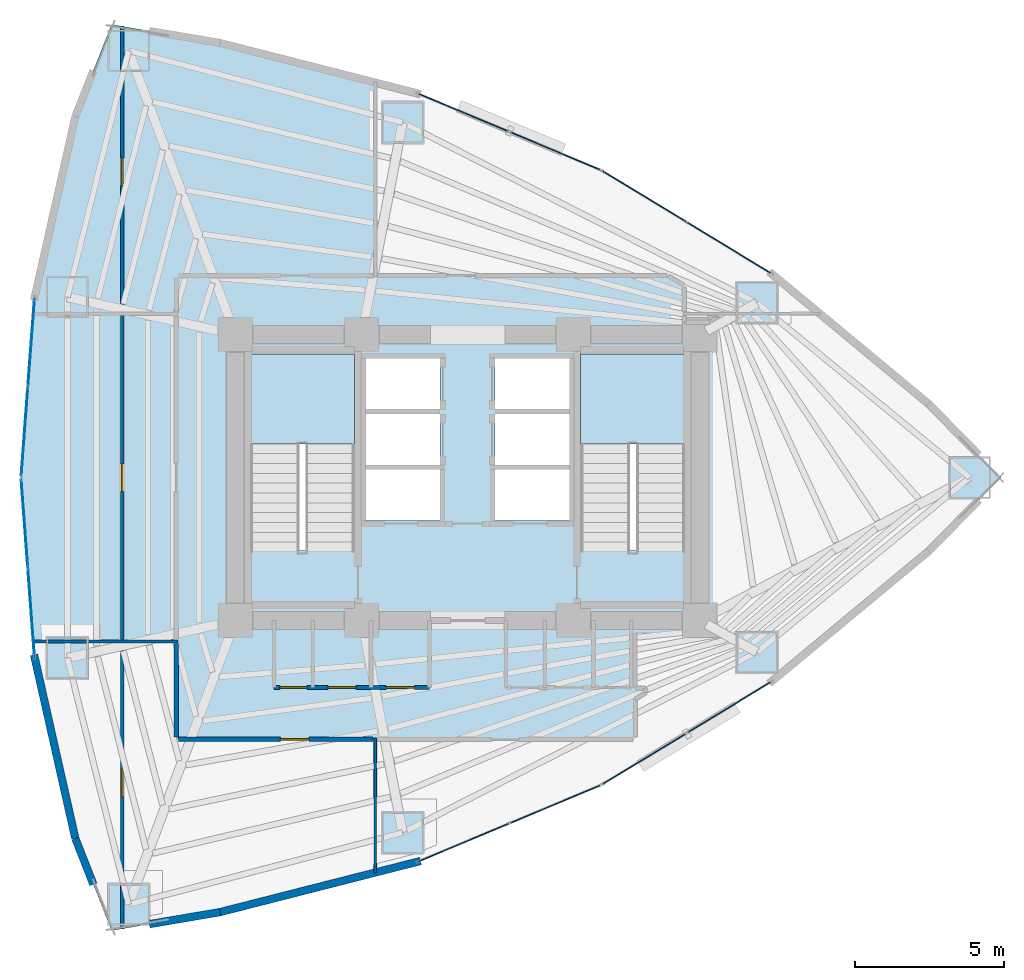
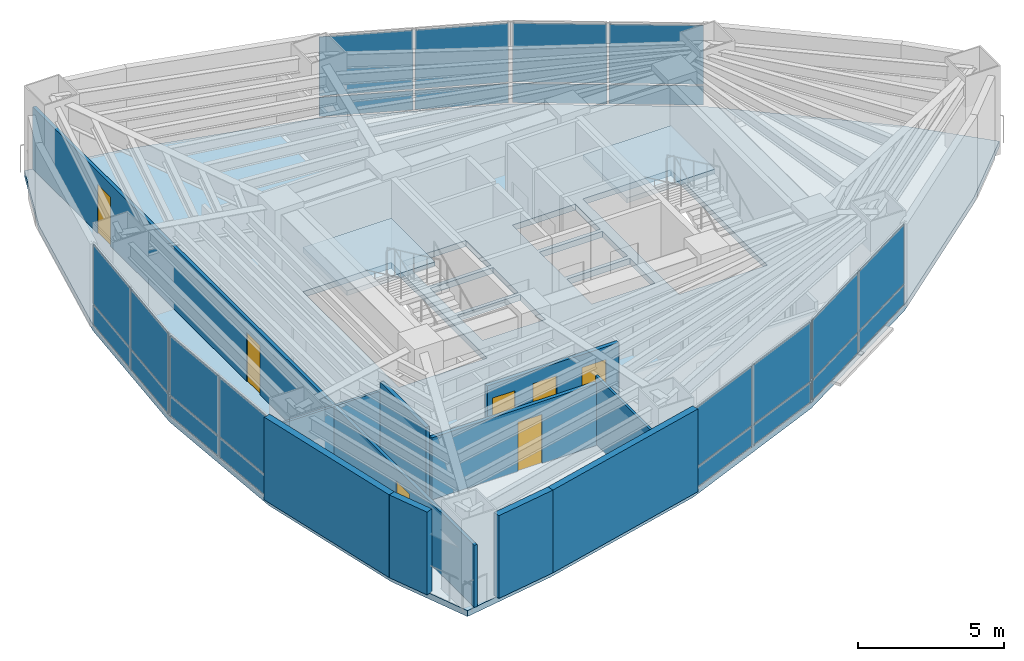
# One storey, part 13 of 17: 24 plates, 10 walls, 7 doors, 3 slabs, 7 openings, 8 elements without a shape of their own.
"""IFC4 building model written with IfcOpenShell, lengths in metres."""

from ifc_helpers import new_model, si_unit, direction, frame, frame_2d, origin, origin_2d, place, context, subcontext, project, spatial, polyline, rectangle, outline, extrude, material, layer, layer_set, type_object, element, fill, aggregate, save


model = new_model("IFC4")

# Units and contexts
model_context = context("Model", 3, precision=1e-05, world=origin(), true_north=direction((0.0, 1.0)))
body_context = subcontext(model_context, "Body", "Model", "MODEL_VIEW")
ifc_project = project(units=[si_unit("LENGTHUNIT", "METRE"), si_unit("AREAUNIT", "SQUARE_METRE"), si_unit("VOLUMEUNIT", "CUBIC_METRE"), si_unit("PLANEANGLEUNIT", "RADIAN"), si_unit("MASSUNIT", "GRAM", prefix="KILO")], contexts=[model_context])

# Site, building, storey
site_placement = place(None, origin())
site = spatial("IfcSite", under=ifc_project, at=site_placement, CompositionType="ELEMENT")
building_placement = place(site_placement, origin())
building = spatial("IfcBuilding", under=site, at=building_placement, Name="Menara Vayukalpa", CompositionType="ELEMENT")
storey_placement = place(building_placement, frame((0.0, 0.0, 38.760009765625)))
storey = spatial("IfcBuildingStorey", under=building, at=storey_placement, Name="L08", CompositionType="ELEMENT", Elevation=38.760009765625)

# Curtain wall, plates
ifc_material_1 = material(Name="Anodised Terracotta Aluminium Alloy 6063-T6", Category="masonry")
ifc_layer_1 = layer(ifc_material_1, 0.1650390625)
ifc_layer_set_1 = layer_set([ifc_layer_1], Name="Anodised Terracotta Aluminium Alloy 6063-T6")
curtain_wall_type = type_object("IfcCurtainWallType", Name="CW-CW2", PredefinedType="USERDEFINED", material=ifc_layer_set_1)
curtain_wall_1_placement = place(storey_placement, origin())
curtain_wall_1 = element("IfcCurtainWall", 1, at=curtain_wall_1_placement, inside=storey, type_object=curtain_wall_type, Name="L08 Low Rise Terracotta Ribbon Curtain Wall CW2 04", ObjectType="UNITISED", PredefinedType="USERDEFINED")
ifc_material_2 = material(Name="Low-E Double Glazing", Category="glass")
ifc_layer_2 = layer(ifc_material_2, 0.031982421875)
ifc_layer_set_2 = layer_set([ifc_layer_2], Name="Low-E Double Glazing")
plate_type = type_object("IfcPlateType", Name="CWP-CW2", PredefinedType="CURTAIN_PANEL", material=ifc_layer_set_2)
plate_1_placement = place(storey_placement, frame((34.371826171875, 29.721435546875, 0.06494140625), z_axis=(0.0, 0.0, 1.0), x_axis=(-0.854663727945, 0.519181964377, 0.0)))
plate_1 = element("IfcPlate", 2, at=plate_1_placement, type_object=plate_type, Name="CW2 panel 1.1", PredefinedType="CURTAIN_PANEL", context=body_context, shape_type="SweptSolid", body=[
    extrude(rectangle(XDim=3.24267578125, YDim=0.031982421875, at=origin_2d()), origin(), (0.0, 0.0, 1.0), 0.802490234375),
])
plate_2_placement = place(storey_placement, frame((34.371826171875, 29.721435546875, 0.9326171875), z_axis=(0.0, 0.0, 1.0), x_axis=(-0.854663727945, 0.519181964377, 0.0)))
plate_2 = element("IfcPlate", 3, at=plate_2_placement, type_object=plate_type, Name="CW2 panel 1.2", PredefinedType="CURTAIN_PANEL", context=body_context, shape_type="SweptSolid", body=[
    extrude(rectangle(XDim=3.24267578125, YDim=0.031982421875, at=origin_2d()), origin(), (0.0, 0.0, 1.0), 2.472412109375),
])
plate_3_placement = place(storey_placement, frame((31.54052734375, 31.44140625, 0.06494140625), z_axis=(0.0, 0.0, 1.0), x_axis=(-0.854663727945, 0.519181964377, 0.0)))
plate_3 = element("IfcPlate", 4, at=plate_3_placement, type_object=plate_type, Name="CW2 panel 2.1", PredefinedType="CURTAIN_PANEL", context=body_context, shape_type="SweptSolid", body=[
    extrude(rectangle(XDim=3.24267578125, YDim=0.031982421875, at=origin_2d()), origin(), (0.0, 0.0, 1.0), 0.802490234375),
])
plate_4_placement = place(storey_placement, frame((31.54052734375, 31.44140625, 0.9326171875), z_axis=(0.0, 0.0, 1.0), x_axis=(-0.854663727945, 0.519181964377, 0.0)))
plate_4 = element("IfcPlate", 5, at=plate_4_placement, type_object=plate_type, Name="CW2 panel 2.2", PredefinedType="CURTAIN_PANEL", context=body_context, shape_type="SweptSolid", body=[
    extrude(rectangle(XDim=3.24267578125, YDim=0.031982421875, at=origin_2d()), origin(), (0.0, 0.0, 1.0), 2.472412109375),
])
aggregate(curtain_wall_1, [plate_1, plate_2, plate_3, plate_4])

curtain_wall_2_placement = place(storey_placement, origin())
curtain_wall_2 = element("IfcCurtainWall", 6, at=curtain_wall_2_placement, inside=storey, type_object=curtain_wall_type, Name="L08 Low Rise Terracotta Ribbon Curtain Wall CW2 05", ObjectType="UNITISED", PredefinedType="USERDEFINED")
plate_5_placement = place(storey_placement, frame((28.534912109375, 32.97216796875, 0.06494140625), z_axis=(0.0, 0.0, 1.0), x_axis=(-0.922542658101, 0.385895120445, 0.0)))
plate_5 = element("IfcPlate", 7, at=plate_5_placement, type_object=plate_type, Name="CW2 panel 1.1", PredefinedType="CURTAIN_PANEL", context=body_context, shape_type="SweptSolid", body=[
    extrude(rectangle(XDim=3.242431640625, YDim=0.031982421875, at=origin_2d()), origin(), (0.0, 0.0, 1.0), 0.802490234375),
])
plate_6_placement = place(storey_placement, frame((28.534912109375, 32.97216796875, 0.9326171875), z_axis=(0.0, 0.0, 1.0), x_axis=(-0.922542658101, 0.385895120445, 0.0)))
plate_6 = element("IfcPlate", 8, at=plate_6_placement, type_object=plate_type, Name="CW2 panel 1.2", PredefinedType="CURTAIN_PANEL", context=body_context, shape_type="SweptSolid", body=[
    extrude(rectangle(XDim=3.242431640625, YDim=0.031982421875, at=origin_2d()), origin(), (0.0, 0.0, 1.0), 2.472412109375),
])
plate_7_placement = place(storey_placement, frame((25.478759765625, 34.250244140625, 0.06494140625), z_axis=(0.0, 0.0, 1.0), x_axis=(-0.922542658101, 0.385895120445, 0.0)))
plate_7 = element("IfcPlate", 9, at=plate_7_placement, type_object=plate_type, Name="CW2 panel 2.1", PredefinedType="CURTAIN_PANEL", context=body_context, shape_type="SweptSolid", body=[
    extrude(rectangle(XDim=3.242431640625, YDim=0.031982421875, at=origin_2d()), origin(), (0.0, 0.0, 1.0), 0.802490234375),
])
plate_8_placement = place(storey_placement, frame((25.478759765625, 34.250244140625, 0.9326171875), z_axis=(0.0, 0.0, 1.0), x_axis=(-0.922542658101, 0.385895120445, 0.0)))
plate_8 = element("IfcPlate", 10, at=plate_8_placement, type_object=plate_type, Name="CW2 panel 2.2", PredefinedType="CURTAIN_PANEL", context=body_context, shape_type="SweptSolid", body=[
    extrude(rectangle(XDim=3.242431640625, YDim=0.031982421875, at=origin_2d()), origin(), (0.0, 0.0, 1.0), 2.472412109375),
])
aggregate(curtain_wall_2, [plate_5, plate_6, plate_7, plate_8])

curtain_wall_3_placement = place(storey_placement, origin())
curtain_wall_3 = element("IfcCurtainWall", 11, at=curtain_wall_3_placement, inside=storey, type_object=curtain_wall_type, Name="L08 Low Rise Terracotta Ribbon Curtain Wall CW2 10", ObjectType="UNITISED", PredefinedType="USERDEFINED")
plate_9_placement = place(storey_placement, frame((10.94921875, 26.52734375, 0.06494140625), z_axis=(0.0, 0.0, 1.0), x_axis=(-0.074794857576, -0.997198941676, 0.0)))
plate_9 = element("IfcPlate", 12, at=plate_9_placement, type_object=plate_type, Name="CW2 panel 1.1", PredefinedType="CURTAIN_PANEL", context=body_context, shape_type="SweptSolid", body=[
    extrude(rectangle(XDim=2.933349609375, YDim=0.031982421875, at=origin_2d()), origin(), (0.0, 0.0, 1.0), 0.802490234375),
])
plate_10_placement = place(storey_placement, frame((10.94921875, 26.52734375, 0.9326171875), z_axis=(0.0, 0.0, 1.0), x_axis=(-0.074794857576, -0.997198941676, 0.0)))
plate_10 = element("IfcPlate", 13, at=plate_10_placement, type_object=plate_type, Name="CW2 panel 1.2", PredefinedType="CURTAIN_PANEL", context=body_context, shape_type="SweptSolid", body=[
    extrude(rectangle(XDim=2.933349609375, YDim=0.031982421875, at=origin_2d()), origin(), (0.0, 0.0, 1.0), 2.472412109375),
])
plate_11_placement = place(storey_placement, frame((10.724609375, 23.532470703125, 0.06494140625), z_axis=(0.0, 0.0, 1.0), x_axis=(-0.074794857576, -0.997198941676, 0.0)))
plate_11 = element("IfcPlate", 14, at=plate_11_placement, type_object=plate_type, Name="CW2 panel 2.1", PredefinedType="CURTAIN_PANEL", context=body_context, shape_type="SweptSolid", body=[
    extrude(rectangle(XDim=2.933349609375, YDim=0.031982421875, at=origin_2d()), origin(), (0.0, 0.0, 1.0), 0.802490234375),
])
plate_12_placement = place(storey_placement, frame((10.724609375, 23.532470703125, 0.9326171875), z_axis=(0.0, 0.0, 1.0), x_axis=(-0.074794857576, -0.997198941676, 0.0)))
plate_12 = element("IfcPlate", 15, at=plate_12_placement, type_object=plate_type, Name="CW2 panel 2.2", PredefinedType="CURTAIN_PANEL", context=body_context, shape_type="SweptSolid", body=[
    extrude(rectangle(XDim=2.933349609375, YDim=0.031982421875, at=origin_2d()), origin(), (0.0, 0.0, 1.0), 2.472412109375),
])
aggregate(curtain_wall_3, [plate_9, plate_10, plate_11, plate_12])

curtain_wall_4_placement = place(storey_placement, origin())
curtain_wall_4 = element("IfcCurtainWall", 16, at=curtain_wall_4_placement, inside=storey, type_object=curtain_wall_type, Name="L08 Low Rise Terracotta Ribbon Curtain Wall CW2 11", ObjectType="UNITISED", PredefinedType="USERDEFINED")
plate_13_placement = place(storey_placement, frame((10.724609375, 20.467529296875, 0.06494140625), z_axis=(0.0, 0.0, 1.0), x_axis=(0.074794857576, -0.997198941676, 0.0)))
plate_13 = element("IfcPlate", 17, at=plate_13_placement, type_object=plate_type, Name="CW2 panel 1.1", PredefinedType="CURTAIN_PANEL", context=body_context, shape_type="SweptSolid", body=[
    extrude(rectangle(XDim=2.933349609375, YDim=0.031982421875, at=origin_2d()), origin(), (0.0, 0.0, 1.0), 0.802490234375),
])
plate_14_placement = place(storey_placement, frame((10.724609375, 20.467529296875, 0.9326171875), z_axis=(0.0, 0.0, 1.0), x_axis=(0.074794857576, -0.997198941676, 0.0)))
plate_14 = element("IfcPlate", 18, at=plate_14_placement, type_object=plate_type, Name="CW2 panel 1.2", PredefinedType="CURTAIN_PANEL", context=body_context, shape_type="SweptSolid", body=[
    extrude(rectangle(XDim=2.933349609375, YDim=0.031982421875, at=origin_2d()), origin(), (0.0, 0.0, 1.0), 2.472412109375),
])
plate_15_placement = place(storey_placement, frame((10.94921875, 17.47265625, 0.06494140625), z_axis=(0.0, 0.0, 1.0), x_axis=(0.074794857576, -0.997198941676, 0.0)))
plate_15 = element("IfcPlate", 19, at=plate_15_placement, type_object=plate_type, Name="CW2 panel 2.1", PredefinedType="CURTAIN_PANEL", context=body_context, shape_type="SweptSolid", body=[
    extrude(rectangle(XDim=2.933349609375, YDim=0.031982421875, at=origin_2d()), origin(), (0.0, 0.0, 1.0), 0.802490234375),
])
plate_16_placement = place(storey_placement, frame((10.94921875, 17.47265625, 0.9326171875), z_axis=(0.0, 0.0, 1.0), x_axis=(0.074794857576, -0.997198941676, 0.0)))
plate_16 = element("IfcPlate", 20, at=plate_16_placement, type_object=plate_type, Name="CW2 panel 2.2", PredefinedType="CURTAIN_PANEL", context=body_context, shape_type="SweptSolid", body=[
    extrude(rectangle(XDim=2.933349609375, YDim=0.031982421875, at=origin_2d()), origin(), (0.0, 0.0, 1.0), 2.472412109375),
])
aggregate(curtain_wall_4, [plate_13, plate_14, plate_15, plate_16])

curtain_wall_5_placement = place(storey_placement, origin())
curtain_wall_5 = element("IfcCurtainWall", 21, at=curtain_wall_5_placement, inside=storey, type_object=curtain_wall_type, Name="L08 Low Rise Terracotta Ribbon Curtain Wall CW2 16", ObjectType="UNITISED", PredefinedType="USERDEFINED")
plate_17_placement = place(storey_placement, frame((25.478759765625, 9.749755859375, 0.06494140625), z_axis=(0.0, 0.0, 1.0), x_axis=(0.922542658101, 0.385895120445, 0.0)))
plate_17 = element("IfcPlate", 22, at=plate_17_placement, type_object=plate_type, Name="CW2 panel 1.1", PredefinedType="CURTAIN_PANEL", context=body_context, shape_type="SweptSolid", body=[
    extrude(rectangle(XDim=3.242431640625, YDim=0.031982421875, at=origin_2d()), origin(), (0.0, 0.0, 1.0), 0.802490234375),
])
plate_18_placement = place(storey_placement, frame((25.478759765625, 9.749755859375, 0.9326171875), z_axis=(0.0, 0.0, 1.0), x_axis=(0.922542658101, 0.385895120445, 0.0)))
plate_18 = element("IfcPlate", 23, at=plate_18_placement, type_object=plate_type, Name="CW2 panel 1.2", PredefinedType="CURTAIN_PANEL", context=body_context, shape_type="SweptSolid", body=[
    extrude(rectangle(XDim=3.242431640625, YDim=0.031982421875, at=origin_2d()), origin(), (0.0, 0.0, 1.0), 2.472412109375),
])
plate_19_placement = place(storey_placement, frame((28.534912109375, 11.02783203125, 0.06494140625), z_axis=(0.0, 0.0, 1.0), x_axis=(0.922542658101, 0.385895120445, 0.0)))
plate_19 = element("IfcPlate", 24, at=plate_19_placement, type_object=plate_type, Name="CW2 panel 2.1", PredefinedType="CURTAIN_PANEL", context=body_context, shape_type="SweptSolid", body=[
    extrude(rectangle(XDim=3.242431640625, YDim=0.031982421875, at=origin_2d()), origin(), (0.0, 0.0, 1.0), 0.802490234375),
])
plate_20_placement = place(storey_placement, frame((28.534912109375, 11.02783203125, 0.9326171875), z_axis=(0.0, 0.0, 1.0), x_axis=(0.922542658101, 0.385895120445, 0.0)))
plate_20 = element("IfcPlate", 25, at=plate_20_placement, type_object=plate_type, Name="CW2 panel 2.2", PredefinedType="CURTAIN_PANEL", context=body_context, shape_type="SweptSolid", body=[
    extrude(rectangle(XDim=3.242431640625, YDim=0.031982421875, at=origin_2d()), origin(), (0.0, 0.0, 1.0), 2.472412109375),
])
aggregate(curtain_wall_5, [plate_17, plate_18, plate_19, plate_20])

curtain_wall_6_placement = place(storey_placement, origin())
curtain_wall_6 = element("IfcCurtainWall", 26, at=curtain_wall_6_placement, inside=storey, type_object=curtain_wall_type, Name="L08 Low Rise Terracotta Ribbon Curtain Wall CW2 17", ObjectType="UNITISED", PredefinedType="USERDEFINED")
plate_21_placement = place(storey_placement, frame((31.54052734375, 12.55859375, 0.06494140625), z_axis=(0.0, 0.0, 1.0), x_axis=(0.854663727945, 0.519181964377, 0.0)))
plate_21 = element("IfcPlate", 27, at=plate_21_placement, type_object=plate_type, Name="CW2 panel 1.1", PredefinedType="CURTAIN_PANEL", context=body_context, shape_type="SweptSolid", body=[
    extrude(rectangle(XDim=3.24267578125, YDim=0.031982421875, at=origin_2d()), origin(), (0.0, 0.0, 1.0), 0.802490234375),
])
plate_22_placement = place(storey_placement, frame((31.54052734375, 12.55859375, 0.9326171875), z_axis=(0.0, 0.0, 1.0), x_axis=(0.854663727945, 0.519181964377, 0.0)))
plate_22 = element("IfcPlate", 28, at=plate_22_placement, type_object=plate_type, Name="CW2 panel 1.2", PredefinedType="CURTAIN_PANEL", context=body_context, shape_type="SweptSolid", body=[
    extrude(rectangle(XDim=3.24267578125, YDim=0.031982421875, at=origin_2d()), origin(), (0.0, 0.0, 1.0), 2.472412109375),
])
plate_23_placement = place(storey_placement, frame((34.371826171875, 14.278564453125, 0.06494140625), z_axis=(0.0, 0.0, 1.0), x_axis=(0.854663727945, 0.519181964377, 0.0)))
plate_23 = element("IfcPlate", 29, at=plate_23_placement, type_object=plate_type, Name="CW2 panel 2.1", PredefinedType="CURTAIN_PANEL", context=body_context, shape_type="SweptSolid", body=[
    extrude(rectangle(XDim=3.24267578125, YDim=0.031982421875, at=origin_2d()), origin(), (0.0, 0.0, 1.0), 0.802490234375),
])
plate_24_placement = place(storey_placement, frame((34.371826171875, 14.278564453125, 0.9326171875), z_axis=(0.0, 0.0, 1.0), x_axis=(0.854663727945, 0.519181964377, 0.0)))
plate_24 = element("IfcPlate", 30, at=plate_24_placement, type_object=plate_type, Name="CW2 panel 2.2", PredefinedType="CURTAIN_PANEL", context=body_context, shape_type="SweptSolid", body=[
    extrude(rectangle(XDim=3.24267578125, YDim=0.031982421875, at=origin_2d()), origin(), (0.0, 0.0, 1.0), 2.472412109375),
])
aggregate(curtain_wall_6, [plate_21, plate_22, plate_23, plate_24])

# Slab
ifc_material_3 = material(Name="Concrete C40/50", Category="concrete")
ifc_layer_3 = layer(ifc_material_3, 0.25)
ifc_layer_set_3 = layer_set([ifc_layer_3], Name="Concrete C40/50")
slab_type_1 = type_object("IfcSlabType", Name="SLB-FL250", PredefinedType="FLOOR", material=ifc_layer_set_3)
slab_1_placement = place(storey_placement, frame((0.0, 0.0, -0.25)))
element("IfcSlab", 31, at=slab_1_placement, inside=storey, type_object=slab_type_1, Name="L08 Structural Floor Slab", PredefinedType="FLOOR", context=body_context, shape_type="SweptSolid", body=[
    extrude(outline(polyline([(41.084716796875, 19.52490234375), (43.514892578125, 22.0), (41.084716796875, 24.47509765625), (35.817138671875, 28.843505859375), (30.09521484375, 32.3193359375), (23.918701171875, 34.903076171875), (17.28759765625, 36.59423828125), (13.642578125, 37.212890625), (12.427490234375, 34.119140625), (11.064208984375, 28.0595703125), (10.609619140625, 22.0), (11.064208984375, 15.9404296875), (12.427490234375, 9.880859375), (13.642578125, 6.787109375), (17.28759765625, 7.40576171875), (23.918701171875, 9.096923828125), (30.09521484375, 11.6806640625), (35.817138671875, 15.156494140625), (41.084716796875, 19.52490234375)]), holes=[polyline([(21.800048828125, 19.550048828125), (21.800048828125, 26.14990234375), (18.300048828125, 26.14990234375), (18.300048828125, 19.550048828125), (21.800048828125, 19.550048828125)]), polyline([(32.89990234375, 19.550048828125), (32.89990234375, 26.14990234375), (29.39990234375, 26.14990234375), (29.39990234375, 19.550048828125), (32.89990234375, 19.550048828125)]), polyline([(22.179931640625, 20.550048828125), (24.679931640625, 20.550048828125), (24.679931640625, 22.27001953125), (22.179931640625, 22.27001953125), (22.179931640625, 20.550048828125)]), polyline([(26.52001953125, 20.550048828125), (29.02001953125, 20.550048828125), (29.02001953125, 22.27001953125), (26.52001953125, 22.27001953125), (26.52001953125, 20.550048828125)]), polyline([(22.179931640625, 22.419921875), (24.679931640625, 22.419921875), (24.679931640625, 24.139892578125), (22.179931640625, 24.139892578125), (22.179931640625, 22.419921875)]), polyline([(22.179931640625, 24.2900390625), (24.679931640625, 24.2900390625), (24.679931640625, 26.010009765625), (22.179931640625, 26.010009765625), (22.179931640625, 24.2900390625)]), polyline([(26.52001953125, 24.2900390625), (29.02001953125, 24.2900390625), (29.02001953125, 26.010009765625), (26.52001953125, 26.010009765625), (26.52001953125, 24.2900390625)]), polyline([(26.52001953125, 22.419921875), (29.02001953125, 22.419921875), (29.02001953125, 24.139892578125), (26.52001953125, 24.139892578125), (26.52001953125, 22.419921875)])]), origin(), (0.0, 0.0, 1.0), 0.25),
])

# Stair, slab
ifc_material_4 = material(Name="Precast Concrete C40/50", Category="concrete")
stair_type = type_object("IfcStairType", Name="STR-T04", PredefinedType="DOUBLE_RETURN_STAIR", material=ifc_material_4)
stair_1_placement = place(storey_placement, origin())
stair_1 = element("IfcStair", 32, at=stair_1_placement, inside=storey, type_object=stair_type, Name="L08 Core Exit Stair ST-1", PredefinedType="DOUBLE_RETURN_STAIR")
ifc_material_5 = material(Name="Precast Concrete C40/50", Category="concrete")
ifc_layer_4 = layer(ifc_material_5, 0.199951171875)
ifc_layer_set_4 = layer_set([ifc_layer_4], Name="Precast Concrete C40/50")
slab_type_2 = type_object("IfcSlabType", Name="SLB-LND200", PredefinedType="LANDING", material=ifc_layer_set_4)
slab_2_placement = place(storey_placement, frame((0.0, 0.0, 1.659912109375)))
slab_2 = element("IfcSlab", 33, at=slab_2_placement, type_object=slab_type_2, Name="ST-1 landing 1", PredefinedType="LANDING", context=body_context, shape_type="SweptSolid", body=[
    extrude(outline(polyline([(21.800048828125, 23.1298828125), (21.800048828125, 26.14990234375), (18.300048828125, 26.14990234375), (18.300048828125, 23.1298828125), (21.800048828125, 23.1298828125)])), origin(), (0.0, 0.0, 1.0), 0.2001953125),
])
aggregate(stair_1, [slab_2])

stair_2_placement = place(storey_placement, origin())
stair_2 = element("IfcStair", 34, at=stair_2_placement, inside=storey, type_object=stair_type, Name="L08 Core Exit Stair ST-2", PredefinedType="DOUBLE_RETURN_STAIR")
slab_3_placement = place(storey_placement, frame((0.0, 0.0, 1.659912109375)))
slab_3 = element("IfcSlab", 35, at=slab_3_placement, type_object=slab_type_2, Name="ST-2 landing 1", PredefinedType="LANDING", context=body_context, shape_type="SweptSolid", body=[
    extrude(outline(polyline([(32.89990234375, 23.1298828125), (32.89990234375, 26.14990234375), (29.39990234375, 26.14990234375), (29.39990234375, 23.1298828125), (32.89990234375, 23.1298828125)])), origin(), (0.0, 0.0, 1.0), 0.2001953125),
])
aggregate(stair_2, [slab_3])

# Walls
ifc_material_6 = material(Name="Insulated Precast Concrete C40/50", Category="concrete")
ifc_layer_5 = layer(ifc_material_6, 0.260009765625)
ifc_layer_set_5 = layer_set([ifc_layer_5], Name="Insulated Precast Concrete C40/50")
wall_type_1 = type_object("IfcWallType", Name="WAL-EXT260", PredefinedType="PARTITIONING", material=ifc_layer_set_5)
wall_1_placement = place(storey_placement, frame((12.427490234375, 9.880859375, 0.0), z_axis=(0.0, 0.0, 1.0), x_axis=(-0.219502085231, 0.975612030768, 0.0)))
element("IfcWall", 36, at=wall_1_placement, inside=storey, type_object=wall_type_1, Name="L08 Perimeter Terracotta Pier Wall 12", PredefinedType="PARTITIONING", context=body_context, shape_type="SweptSolid", body=[
    extrude(rectangle(XDim=6.32080078125, YDim=0.260009765625, at=frame_2d((3.160400390625, 0.0))), origin(), (0.0, 0.0, 1.0), 3.469970703125),
])
wall_2_placement = place(storey_placement, frame((13.033203125, 8.339111328125, 0.0), z_axis=(0.0, 0.0, 1.0), x_axis=(-0.365666052462, 0.930746119023, 0.0)))
element("IfcWall", 37, at=wall_2_placement, inside=storey, type_object=wall_type_1, Name="L08 Perimeter Terracotta Pier Wall 13", PredefinedType="PARTITIONING", context=body_context, shape_type="SweptSolid", body=[
    extrude(rectangle(XDim=1.656494140625, YDim=0.260009765625, at=frame_2d((0.828125, 0.0))), origin(), (0.0, 0.0, 1.0), 3.469970703125),
])
wall_3_placement = place(storey_placement, frame((17.29345703125, 7.40673828125, 0.0), z_axis=(0.0, 0.0, 1.0), x_axis=(-0.985905469923, -0.167303330437, 0.0)))
element("IfcWall", 38, at=wall_3_placement, inside=storey, type_object=wall_type_1, Name="L08 Perimeter Terracotta Pier Wall 14", PredefinedType="PARTITIONING", context=body_context, shape_type="SweptSolid", body=[
    extrude(rectangle(XDim=2.412109375, YDim=0.260009765625, at=frame_2d((1.2060546875, 0.0))), origin(), (0.0, 0.0, 1.0), 3.469970703125),
])
wall_4_placement = place(storey_placement, frame((24.025146484375, 9.124267578125, 0.0), z_axis=(0.0, 0.0, 1.0), x_axis=(-0.968977974408, -0.247147092057, 0.0)))
element("IfcWall", 39, at=wall_4_placement, inside=storey, type_object=wall_type_1, Name="L08 Perimeter Terracotta Pier Wall 15", PredefinedType="PARTITIONING", context=body_context, shape_type="SweptSolid", body=[
    extrude(rectangle(XDim=6.959228515625, YDim=0.260009765625, at=frame_2d((3.4794921875, 0.0))), origin(), (0.0, 0.0, 1.0), 3.469970703125),
])
ifc_material_7 = material(Name="Glazed Demountable Office Partition", Category="glass")
ifc_layer_6 = layer(ifc_material_7, 0.094970703125)
ifc_layer_set_6 = layer_set([ifc_layer_6], Name="Glazed Demountable Office Partition")
wall_type_2 = type_object("IfcWallType", Name="WAL-PT100", PredefinedType="PARTITIONING", material=ifc_layer_set_6)
wall_5_placement = place(storey_placement, frame((22.5, 8.724853515625, 0.0), z_axis=(0.0, 0.0, 1.0), x_axis=(0.0, 1.0, 0.0)))
element("IfcWall", 40, at=wall_5_placement, inside=storey, type_object=wall_type_2, Name="L08 Interior Partition IW-L08-RDIV02", PredefinedType="PARTITIONING", context=body_context, shape_type="SweptSolid", body=[
    extrude(rectangle(XDim=4.53515625, YDim=0.094970703125, at=frame_2d((2.267578125, 0.0))), origin(), (0.0, 0.0, 1.0), 2.85009765625),
])
wall_6_placement = place(storey_placement, frame((11.01220703125, 16.5, 0.0), z_axis=(0.0, 0.0, 1.0), x_axis=(1.0, 0.0, 0.0)))
element("IfcWall", 41, at=wall_6_placement, inside=storey, type_object=wall_type_2, Name="L08 Interior Partition IW-L08-RDIV04", PredefinedType="PARTITIONING", context=body_context, shape_type="SweptSolid", body=[
    extrude(rectangle(XDim=4.85791015625, YDim=0.094970703125, at=frame_2d((2.428955078125, 0.0))), origin(), (0.0, 0.0, 1.0), 2.60009765625),
])

# Wall, openings, doors
ifc_material_8 = material(Name="Gypsum Drywall Steel Stud Assembly", Category="steel")
ifc_layer_7 = layer(ifc_material_8, 0.125)
ifc_layer_set_7 = layer_set([ifc_layer_7], Name="Gypsum Drywall Steel Stud Assembly")
wall_type_3 = type_object("IfcWallType", Name="WAL-PT125", PredefinedType="PARTITIONING", material=ifc_layer_set_7)
wall_7_placement = place(storey_placement, frame((14.0, 6.837646484375, 0.0), z_axis=(0.0, 0.0, 1.0), x_axis=(0.0, 1.0, 0.0)))
wall_7 = element("IfcWall", 42, at=wall_7_placement, inside=storey, type_object=wall_type_3, Name="L08 Interior Partition IW-L08-RDIV01", PredefinedType="PARTITIONING", context=body_context, shape_type="SweptSolid", body=[
    extrude(rectangle(XDim=30.32470703125, YDim=0.125, at=frame_2d((15.162353515625, 0.0))), origin(), (0.0, 0.0, 1.0), 2.60009765625),
])
opening_1_placement = place(wall_7_placement, frame((4.4404296875, 0.0, 0.0)))
opening_1 = element("IfcOpeningElement", 43, at=opening_1_placement, cuts=wall_7, Name="Opening ID6", PredefinedType="OPENING", context=body_context, shape_type="SweptSolid", body=[
    extrude(rectangle(XDim=0.919921875, YDim=2.050048828125, at=frame_2d((0.4599609375, 1.02490234375))), frame((0.0, 0.072509765625, 0.0), z_axis=(0.0, -1.0, 0.0), x_axis=(1.0, 0.0, 0.0)), (0.0, 0.0, 1.0), 0.14501953125),
])
opening_2_placement = place(wall_7_placement, frame((24.964599609375, 0.0, 0.0)))
opening_2 = element("IfcOpeningElement", 44, at=opening_2_placement, cuts=wall_7, Name="Opening ID6", PredefinedType="OPENING", context=body_context, shape_type="SweptSolid", body=[
    extrude(rectangle(XDim=0.919921875, YDim=2.050048828125, at=frame_2d((0.4599609375, 1.02490234375))), frame((0.0, 0.072509765625, 0.0), z_axis=(0.0, -1.0, 0.0), x_axis=(1.0, 0.0, 0.0)), (0.0, 0.0, 1.0), 0.14501953125),
])
opening_3_placement = place(wall_7_placement, frame((14.702392578125, 0.0, 0.0)))
opening_3 = element("IfcOpeningElement", 45, at=opening_3_placement, cuts=wall_7, Name="Opening ID6", PredefinedType="OPENING", context=body_context, shape_type="SweptSolid", body=[
    extrude(rectangle(XDim=0.919921875, YDim=2.050048828125, at=frame_2d((0.4599609375, 1.02490234375))), frame((0.0, 0.072509765625, 0.0), z_axis=(0.0, -1.0, 0.0), x_axis=(1.0, 0.0, 0.0)), (0.0, 0.0, 1.0), 0.14501953125),
])
ifc_material_9 = material(Name="Acoustic Hardwood Veneer Timber Door", Category="wood")
door_type_1 = type_object("IfcDoorType", Name="DR-INT92", OperationType="NOTDEFINED", PredefinedType="DOOR", material=ifc_material_9)
door_1_placement = place(opening_1_placement, origin())
door_1 = element("IfcDoor", 46, at=door_1_placement, inside=storey, type_object=door_type_1, Name="L08 Interior Door DR-L08-STE01", OperationType="SINGLE_SWING_RIGHT", OverallHeight=2.050048828125, OverallWidth=0.919921875, PredefinedType="DOOR", context=body_context, shape_type="SweptSolid", body=[
    extrude(rectangle(XDim=0.919921875, YDim=2.050048828125, at=frame_2d((0.4599609375, 1.02490234375))), frame((0.0, 0.02490234375, 0.0), z_axis=(0.0, -1.0, 0.0), x_axis=(1.0, 0.0, 0.0)), (0.0, 0.0, 1.0), 0.050048828125),
])
fill(opening_1, door_1)
door_2_placement = place(opening_2_placement, origin())
door_2 = element("IfcDoor", 47, at=door_2_placement, inside=storey, type_object=door_type_1, Name="L08 Interior Door DR-L08-STE07", OperationType="SINGLE_SWING_LEFT", OverallHeight=2.050048828125, OverallWidth=0.919921875, PredefinedType="DOOR", context=body_context, shape_type="SweptSolid", body=[
    extrude(rectangle(XDim=0.919921875, YDim=2.050048828125, at=frame_2d((0.4599609375, 1.02490234375))), frame((0.0, 0.02490234375, 0.0), z_axis=(0.0, -1.0, 0.0), x_axis=(1.0, 0.0, 0.0)), (0.0, 0.0, 1.0), 0.050048828125),
])
fill(opening_2, door_2)
door_3_placement = place(opening_3_placement, origin())
door_3 = element("IfcDoor", 48, at=door_3_placement, inside=storey, type_object=door_type_1, Name="L08 Interior Door DR-L08-STE08", OperationType="SINGLE_SWING_RIGHT", OverallHeight=2.050048828125, OverallWidth=0.919921875, PredefinedType="DOOR", context=body_context, shape_type="SweptSolid", body=[
    extrude(rectangle(XDim=0.919921875, YDim=2.050048828125, at=frame_2d((0.4599609375, 1.02490234375))), frame((0.0, 0.02490234375, 0.0), z_axis=(0.0, -1.0, 0.0), x_axis=(1.0, 0.0, 0.0)), (0.0, 0.0, 1.0), 0.050048828125),
])
fill(opening_3, door_3)

ifc_material_10 = material(Name="Gypsum Drywall Acoustic Stud Assembly", Category="masonry")
ifc_layer_8 = layer(ifc_material_10, 0.14501953125)
ifc_layer_set_8 = layer_set([ifc_layer_8], Name="Gypsum Drywall Acoustic Stud Assembly")
wall_type_4 = type_object("IfcWallType", Name="WAL-PT150", PredefinedType="PARTITIONING", material=ifc_layer_set_8)
wall_8_placement = place(storey_placement, frame((19.10009765625, 14.949951171875, 0.0), z_axis=(0.0, 0.0, 1.0), x_axis=(1.0, 0.0, 0.0)))
wall_8 = element("IfcWall", 49, at=wall_8_placement, inside=storey, type_object=wall_type_4, Name="L08 Interior Partition IW-L08-SVCS-W", PredefinedType="PARTITIONING", context=body_context, shape_type="SweptSolid", body=[
    extrude(rectangle(XDim=5.219970703125, YDim=0.14501953125, at=frame_2d((2.60986328125, 0.0))), origin(), (0.0, 0.0, 1.0), 2.60009765625),
])
opening_4_placement = place(wall_8_placement, frame((0.199951171875, 0.0, 0.0)))
opening_4 = element("IfcOpeningElement", 50, at=opening_4_placement, cuts=wall_8, Name="Opening ID7", PredefinedType="OPENING", context=body_context, shape_type="SweptSolid", body=[
    extrude(rectangle(XDim=0.89990234375, YDim=2.02001953125, at=frame_2d((0.449951171875, 1.010009765625))), frame((0.0, 0.08251953125, 0.0), z_axis=(0.0, -1.0, 0.0), x_axis=(1.0, 0.0, 0.0)), (0.0, 0.0, 1.0), 0.1650390625),
])
opening_5_placement = place(wall_8_placement, frame((1.804931640625, 0.0, 0.0)))
opening_5 = element("IfcOpeningElement", 51, at=opening_5_placement, cuts=wall_8, Name="Opening ID5", PredefinedType="OPENING", context=body_context, shape_type="SweptSolid", body=[
    extrude(rectangle(XDim=0.949951171875, YDim=2.06005859375, at=frame_2d((0.47509765625, 1.030029296875))), frame((0.0, 0.08251953125, 0.0), z_axis=(0.0, -1.0, 0.0), x_axis=(1.0, 0.0, 0.0)), (0.0, 0.0, 1.0), 0.1650390625),
])
opening_6_placement = place(wall_8_placement, frame((3.764892578125, 0.0, 0.0)))
opening_6 = element("IfcOpeningElement", 52, at=opening_6_placement, cuts=wall_8, Name="Opening ID5", PredefinedType="OPENING", context=body_context, shape_type="SweptSolid", body=[
    extrude(rectangle(XDim=0.949951171875, YDim=2.06005859375, at=frame_2d((0.47509765625, 1.030029296875))), frame((0.0, 0.08251953125, 0.0), z_axis=(0.0, -1.0, 0.0), x_axis=(1.0, 0.0, 0.0)), (0.0, 0.0, 1.0), 0.1650390625),
])
ifc_material_11 = material(Name="Acoustic Hardwood Veneer Timber Door", Category="wood")
door_type_2 = type_object("IfcDoorType", Name="DR-INT95", OperationType="NOTDEFINED", PredefinedType="DOOR", material=ifc_material_11)
door_4_placement = place(opening_5_placement, origin())
door_4 = element("IfcDoor", 53, at=door_4_placement, inside=storey, type_object=door_type_2, Name="L08 Interior Door DR-L08-AWC", OperationType="SINGLE_SWING_RIGHT", OverallHeight=2.06005859375, OverallWidth=0.949951171875, PredefinedType="DOOR", context=body_context, shape_type="SweptSolid", body=[
    extrude(rectangle(XDim=0.949951171875, YDim=2.06005859375, at=frame_2d((0.47509765625, 1.030029296875))), frame((0.0, 0.02490234375, 0.0), z_axis=(0.0, -1.0, 0.0), x_axis=(1.0, 0.0, 0.0)), (0.0, 0.0, 1.0), 0.050048828125),
])
fill(opening_5, door_4)
door_5_placement = place(opening_6_placement, origin())
door_5 = element("IfcDoor", 54, at=door_5_placement, inside=storey, type_object=door_type_2, Name="L08 Interior Door DR-L08-SWC", OperationType="SINGLE_SWING_LEFT", OverallHeight=2.06005859375, OverallWidth=0.949951171875, PredefinedType="DOOR", context=body_context, shape_type="SweptSolid", body=[
    extrude(rectangle(XDim=0.949951171875, YDim=2.06005859375, at=frame_2d((0.47509765625, 1.030029296875))), frame((0.0, 0.02490234375, 0.0), z_axis=(0.0, -1.0, 0.0), x_axis=(1.0, 0.0, 0.0)), (0.0, 0.0, 1.0), 0.050048828125),
])
fill(opening_6, door_5)
ifc_material_12 = material(Name="Powder-Coated Steel Riser Access Door", Category="steel")
door_type_3 = type_object("IfcDoorType", Name="DR-RISER", OperationType="NOTDEFINED", PredefinedType="DOOR", material=ifc_material_12)
door_6_placement = place(opening_4_placement, origin())
door_6 = element("IfcDoor", 55, at=door_6_placement, inside=storey, type_object=door_type_3, Name="L08 Interior Door DR-L08-ELR", OperationType="SINGLE_SWING_LEFT", OverallHeight=2.02001953125, OverallWidth=0.89990234375, PredefinedType="DOOR", context=body_context, shape_type="SweptSolid", body=[
    extrude(rectangle(XDim=0.89990234375, YDim=2.02001953125, at=frame_2d((0.449951171875, 1.010009765625))), frame((0.0, 0.02490234375, 0.0), z_axis=(0.0, -1.0, 0.0), x_axis=(1.0, 0.0, 0.0)), (0.0, 0.0, 1.0), 0.050048828125),
])
fill(opening_4, door_6)

# Wall
wall_9_placement = place(storey_placement, frame((15.820068359375, 16.429931640625, 0.0), z_axis=(0.0, 0.0, 1.0), x_axis=(0.0, -1.0, 0.0)))
element("IfcWall", 56, at=wall_9_placement, inside=storey, type_object=wall_type_4, Name="L08 Interior Partition IW-L08-CRM03-1", PredefinedType="PARTITIONING", context=body_context, shape_type="SweptSolid", body=[
    extrude(rectangle(XDim=3.139892578125, YDim=0.14501953125, at=frame_2d((1.56982421875, 0.0))), origin(), (0.0, 0.0, 1.0), 3.0),
])

# Wall, opening, door
wall_10_placement = place(storey_placement, frame((15.89990234375, 13.2099609375, 0.0), z_axis=(0.0, 0.0, 1.0), x_axis=(1.0, 0.0, 0.0)))
wall_10 = element("IfcWall", 57, at=wall_10_placement, inside=storey, type_object=wall_type_4, Name="L08 Interior Partition IW-L08-CRM03-2", PredefinedType="PARTITIONING", context=body_context, shape_type="SweptSolid", body=[
    extrude(rectangle(XDim=6.530029296875, YDim=0.14501953125, at=frame_2d((3.26513671875, 0.0))), origin(), (0.0, 0.0, 1.0), 2.60009765625),
])
opening_7_placement = place(wall_10_placement, frame((3.41748046875, 0.0, 0.0)))
opening_7 = element("IfcOpeningElement", 58, at=opening_7_placement, cuts=wall_10, Name="Opening ID5", PredefinedType="OPENING", context=body_context, shape_type="SweptSolid", body=[
    extrude(rectangle(XDim=0.949951171875, YDim=2.06005859375, at=frame_2d((0.47509765625, 1.030029296875))), frame((0.0, 0.08251953125, 0.0), z_axis=(0.0, -1.0, 0.0), x_axis=(1.0, 0.0, 0.0)), (0.0, 0.0, 1.0), 0.1650390625),
])
door_7_placement = place(opening_7_placement, origin())
door_7 = element("IfcDoor", 59, at=door_7_placement, inside=storey, type_object=door_type_2, Name="L08 Interior Door DR-L08-RM03", OperationType="SINGLE_SWING_LEFT", OverallHeight=2.06005859375, OverallWidth=0.949951171875, PredefinedType="DOOR", context=body_context, shape_type="SweptSolid", body=[
    extrude(rectangle(XDim=0.949951171875, YDim=2.06005859375, at=frame_2d((0.47509765625, 1.030029296875))), frame((0.0, 0.02490234375, 0.0), z_axis=(0.0, -1.0, 0.0), x_axis=(1.0, 0.0, 0.0)), (0.0, 0.0, 1.0), 0.050048828125),
])
fill(opening_7, door_7)

save(model, "model.ifc")
